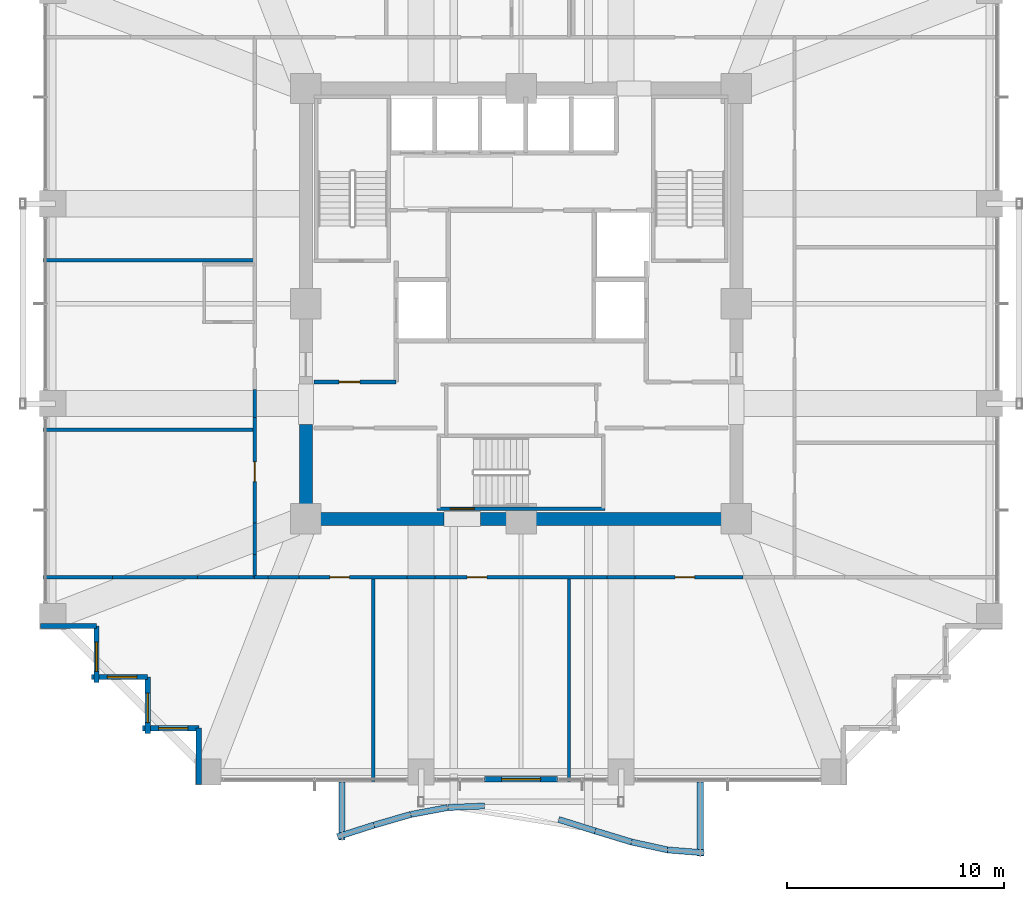
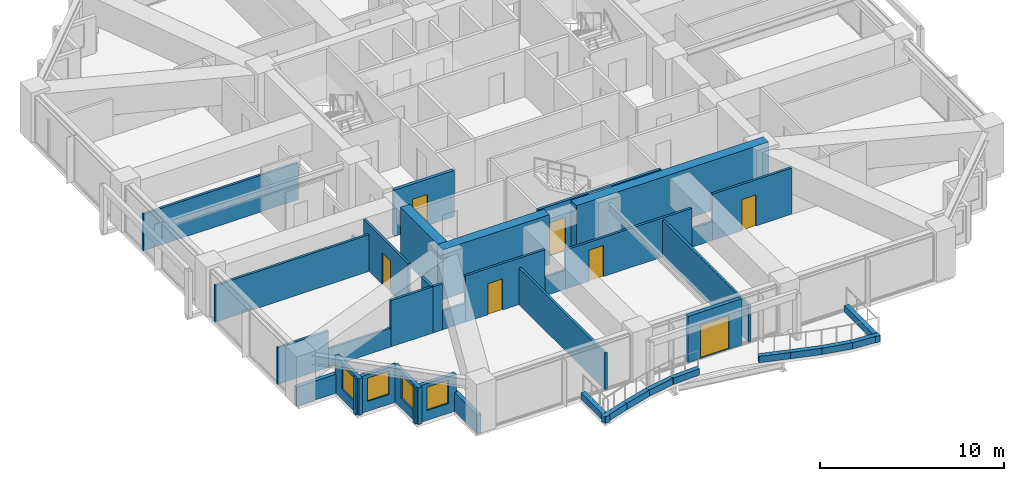
# One storey, part 31 of 37: 40 walls, 7 doors, 4 windows, 11 openings.
"""IFC4 building model written with IfcOpenShell, lengths in metres."""

from ifc_helpers import new_model, si_unit, direction, frame, frame_2d, origin, place, context, subcontext, project, spatial, rectangle, extrude, material, layer, layer_set, type_object, element, fill, save


model = new_model("IFC4")

# Units and contexts
model_context = context("Model", 3, precision=1e-05, world=origin(), true_north=direction((0.0, 1.0)))
body_context = subcontext(model_context, "Body", "Model", "MODEL_VIEW")
ifc_project = project(units=[si_unit("LENGTHUNIT", "METRE"), si_unit("AREAUNIT", "SQUARE_METRE"), si_unit("VOLUMEUNIT", "CUBIC_METRE"), si_unit("PLANEANGLEUNIT", "RADIAN"), si_unit("MASSUNIT", "GRAM", prefix="KILO")], contexts=[model_context])

# Site, building, storey
site_placement = place(None, origin())
site = spatial("IfcSite", under=ifc_project, at=site_placement, CompositionType="ELEMENT")
building_placement = place(site_placement, origin())
building = spatial("IfcBuilding", under=site, at=building_placement, Name="Kolvaren Belvedere", CompositionType="ELEMENT")
storey_placement = place(building_placement, frame((0.0, 0.0, 56.800048828125)))
storey = spatial("IfcBuildingStorey", under=building, at=storey_placement, Name="L16", CompositionType="ELEMENT", Elevation=56.800048828125)

# Walls
ifc_material_1 = material(Name="Concrete C60/75", Category="concrete")
ifc_layer_1 = layer(ifc_material_1, 0.60009765625)
ifc_layer_set_1 = layer_set([ifc_layer_1], Name="Concrete C60/75")
wall_type_1 = type_object("IfcWallType", Name="CW-CORE-600", PredefinedType="SHEAR", material=ifc_layer_set_1)
wall_1_placement = place(storey_placement, frame((10.199951171875, -9.89990234375, 0.0), z_axis=(0.0, 0.0, 1.0), x_axis=(-1.0, 0.0, 0.0)))
element("IfcWall", 1, at=wall_1_placement, inside=storey, type_object=wall_type_1, Name="L16 South Core Shear Wall 1", PredefinedType="SHEAR", context=body_context, shape_type="SweptSolid", body=[
    extrude(rectangle(XDim=12.06005859375, YDim=0.60009765625, at=frame_2d((6.030029296875, 0.0))), origin(), (0.0, 0.0, 1.0), 3.300048828125),
])
wall_2_placement = place(storey_placement, frame((-3.5400390625, -9.89990234375, 0.0), z_axis=(0.0, 0.0, 1.0), x_axis=(-1.0, 0.0, 0.0)))
element("IfcWall", 2, at=wall_2_placement, inside=storey, type_object=wall_type_1, Name="L16 South Core Shear Wall 2", PredefinedType="SHEAR", context=body_context, shape_type="SweptSolid", body=[
    extrude(rectangle(XDim=6.659912109375, YDim=0.60009765625, at=frame_2d((3.330078125, 0.0))), origin(), (0.0, 0.0, 1.0), 3.300048828125),
])
wall_3_placement = place(storey_placement, frame((-9.89990234375, -9.60009765625, 0.0), z_axis=(0.0, 0.0, 1.0), x_axis=(0.0, 1.0, 0.0)))
element("IfcWall", 3, at=wall_3_placement, inside=storey, type_object=wall_type_1, Name="L16 West Core Shear Wall 1", PredefinedType="SHEAR", context=body_context, shape_type="SweptSolid", body=[
    extrude(rectangle(XDim=4.050048828125, YDim=0.60009765625, at=frame_2d((2.02490234375, 0.0))), origin(), (0.0, 0.0, 1.0), 3.300048828125),
])

# Wall, opening, door
ifc_material_2 = material(Name="Concrete C50/60", Category="concrete")
ifc_layer_2 = layer(ifc_material_2, 0.159912109375)
ifc_layer_set_2 = layer_set([ifc_layer_2], Name="Concrete C50/60")
wall_type_2 = type_object("IfcWallType", Name="CW-STAIR-160", PredefinedType="SHEAR", material=ifc_layer_set_2)
wall_4_placement = place(storey_placement, frame((3.860107421875, -9.429931640625, 0.0), z_axis=(0.0, 0.0, 1.0), x_axis=(-1.0, 0.0, 0.0)))
wall_4 = element("IfcWall", 4, at=wall_4_placement, inside=storey, type_object=wall_type_2, Name="L16 Stair ST-3 South Shear Wall", PredefinedType="SHEAR", context=body_context, shape_type="SweptSolid", body=[
    extrude(rectangle(XDim=7.72021484375, YDim=0.159912109375, at=frame_2d((3.860107421875, 0.0))), origin(), (0.0, 0.0, 1.0), 3.300048828125),
])
opening_1_placement = place(wall_4_placement, frame((6.010009765625, 0.0, 0.0)))
opening_1 = element("IfcOpeningElement", 5, at=opening_1_placement, cuts=wall_4, Name="Opening D-FD90", PredefinedType="OPENING", context=body_context, shape_type="SweptSolid", body=[
    extrude(rectangle(XDim=1.10009765625, YDim=2.199951171875, at=frame_2d((0.550048828125, 1.10009765625))), frame((0.0, 0.08984375, 0.0), z_axis=(0.0, -1.0, 0.0), x_axis=(1.0, 0.0, 0.0)), (0.0, 0.0, 1.0), 0.179931640625),
])
ifc_material_3 = material(Name="Painted hollow stainless steel", Category="steel")
door_type_1 = type_object("IfcDoorType", Name="DR-FD90-1100", OperationType="NOTDEFINED", PredefinedType="DOOR", material=ifc_material_3)
door_1_placement = place(opening_1_placement, origin())
door_1 = element("IfcDoor", 6, at=door_1_placement, inside=storey, type_object=door_type_1, Name="L16 Stair ST-3 Exit Door", OperationType="SINGLE_SWING_RIGHT", OverallHeight=2.199951171875, OverallWidth=1.10009765625, PredefinedType="DOOR", context=body_context, shape_type="SweptSolid", body=[
    extrude(rectangle(XDim=1.10009765625, YDim=2.199951171875, at=frame_2d((0.550048828125, 1.10009765625))), frame((0.0, 0.02490234375, 0.0), z_axis=(0.0, -1.0, 0.0), x_axis=(1.0, 0.0, 0.0)), (0.0, 0.0, 1.0), 0.050048828125),
])
fill(opening_1, door_1)

# Walls
ifc_material_4 = material(Name="Gypsum fire-rated partition assembly", Category="gypsum")
ifc_layer_3 = layer(ifc_material_4, 0.14990234375)
ifc_layer_set_3 = layer_set([ifc_layer_3], Name="Gypsum fire-rated partition assembly")
wall_type_3 = type_object("IfcWallType", Name="WL-CORR-150", PredefinedType="PARTITIONING", material=ifc_layer_set_3)
wall_5_placement = place(storey_placement, frame((-12.260009765625, -12.580078125, 0.0), z_axis=(0.0, 0.0, 1.0), x_axis=(1.0, 0.0, 0.0)))
element("IfcWall", 7, at=wall_5_placement, inside=storey, type_object=wall_type_3, Name="L16 South Corridor Wall", PredefinedType="PARTITIONING", context=body_context, shape_type="SweptSolid", body=[
    extrude(rectangle(XDim=0.605224609375, YDim=0.14990234375, at=frame_2d((0.302734375, 0.0))), origin(), (0.0, 0.0, 1.0), 3.06005859375),
])
wall_6_placement = place(storey_placement, frame((-11.65478515625, -12.580078125, 0.0), z_axis=(0.0, 0.0, 1.0), x_axis=(1.0, 0.0, 0.0)))
element("IfcWall", 8, at=wall_6_placement, inside=storey, type_object=wall_type_3, Name="L16 South Corridor Wall", PredefinedType="PARTITIONING", context=body_context, shape_type="SweptSolid", body=[
    extrude(rectangle(XDim=1.439208984375, YDim=0.14990234375, at=frame_2d((0.7197265625, 0.0))), origin(), (0.0, 0.0, 1.0), 1.244873046875),
])

# Wall, opening, door
wall_7_placement = place(storey_placement, frame((-10.215576171875, -12.580078125, 0.0), z_axis=(0.0, 0.0, 1.0), x_axis=(1.0, 0.0, 0.0)))
wall_7 = element("IfcWall", 9, at=wall_7_placement, inside=storey, type_object=wall_type_3, Name="L16 South Corridor Wall", PredefinedType="PARTITIONING", context=body_context, shape_type="SweptSolid", body=[
    extrude(rectangle(XDim=4.9736328125, YDim=0.14990234375, at=frame_2d((2.48681640625, 0.0))), origin(), (0.0, 0.0, 1.0), 3.06005859375),
])
opening_2_placement = place(wall_7_placement, frame((1.41748046875, 0.0, 0.0)))
opening_2 = element("IfcOpeningElement", 10, at=opening_2_placement, cuts=wall_7, Name="Opening D-INT90", PredefinedType="OPENING", context=body_context, shape_type="SweptSolid", body=[
    extrude(rectangle(XDim=0.89990234375, YDim=2.06005859375, at=frame_2d((0.449951171875, 1.030029296875))), frame((0.0, 0.0849609375, 0.0), z_axis=(0.0, -1.0, 0.0), x_axis=(1.0, 0.0, 0.0)), (0.0, 0.0, 1.0), 0.169921875),
])
ifc_material_5 = material(Name="Stained Pacific white oak", Category="timber")
door_type_2 = type_object("IfcDoorType", Name="DR-INT-900", OperationType="NOTDEFINED", PredefinedType="DOOR", material=ifc_material_5)
door_2_placement = place(opening_2_placement, origin())
door_2 = element("IfcDoor", 11, at=door_2_placement, inside=storey, type_object=door_type_2, Name="L16 Lounge 1601 Door", OperationType="SINGLE_SWING_RIGHT", OverallHeight=2.06005859375, OverallWidth=0.89990234375, PredefinedType="DOOR", context=body_context, shape_type="SweptSolid", body=[
    extrude(rectangle(XDim=0.89990234375, YDim=2.06005859375, at=frame_2d((0.449951171875, 1.030029296875))), frame((0.0, 0.02490234375, 0.0), z_axis=(0.0, -1.0, 0.0), x_axis=(1.0, 0.0, 0.0)), (0.0, 0.0, 1.0), 0.050048828125),
])
fill(opening_2, door_2)

# Wall
wall_8_placement = place(storey_placement, frame((-5.241943359375, -12.580078125, 0.0), z_axis=(0.0, 0.0, 1.0), x_axis=(1.0, 0.0, 0.0)))
element("IfcWall", 12, at=wall_8_placement, inside=storey, type_object=wall_type_3, Name="L16 South Corridor Wall", PredefinedType="PARTITIONING", context=body_context, shape_type="SweptSolid", body=[
    extrude(rectangle(XDim=1.283935546875, YDim=0.14990234375, at=frame_2d((0.64208984375, 0.0))), origin(), (0.0, 0.0, 1.0), 1.244873046875),
])

# Wall, opening, door
wall_9_placement = place(storey_placement, frame((-3.9580078125, -12.580078125, 0.0), z_axis=(0.0, 0.0, 1.0), x_axis=(1.0, 0.0, 0.0)))
wall_9 = element("IfcWall", 13, at=wall_9_placement, inside=storey, type_object=wall_type_3, Name="L16 South Corridor Wall", PredefinedType="PARTITIONING", context=body_context, shape_type="SweptSolid", body=[
    extrude(rectangle(XDim=7.916015625, YDim=0.14990234375, at=frame_2d((3.9580078125, 0.0))), origin(), (0.0, 0.0, 1.0), 2.5849609375),
])
opening_3_placement = place(wall_9_placement, frame((1.47802734375, 0.0, 0.0)))
opening_3 = element("IfcOpeningElement", 14, at=opening_3_placement, cuts=wall_9, Name="Opening D-INT90", PredefinedType="OPENING", context=body_context, shape_type="SweptSolid", body=[
    extrude(rectangle(XDim=0.89990234375, YDim=2.06005859375, at=frame_2d((0.449951171875, 1.030029296875))), frame((0.0, 0.0849609375, 0.0), z_axis=(0.0, -1.0, 0.0), x_axis=(1.0, 0.0, 0.0)), (0.0, 0.0, 1.0), 0.169921875),
])
door_3_placement = place(opening_3_placement, origin())
door_3 = element("IfcDoor", 15, at=door_3_placement, inside=storey, type_object=door_type_2, Name="L16 Guest Tea & Espresso Kitchen 1602 Door", OperationType="SINGLE_SWING_LEFT", OverallHeight=2.06005859375, OverallWidth=0.89990234375, PredefinedType="DOOR", context=body_context, shape_type="SweptSolid", body=[
    extrude(rectangle(XDim=0.89990234375, YDim=2.06005859375, at=frame_2d((0.449951171875, 1.030029296875))), frame((0.0, 0.02490234375, 0.0), z_axis=(0.0, -1.0, 0.0), x_axis=(1.0, 0.0, 0.0)), (0.0, 0.0, 1.0), 0.050048828125),
])
fill(opening_3, door_3)

# Wall
wall_10_placement = place(storey_placement, frame((3.9580078125, -12.580078125, 0.0), z_axis=(0.0, 0.0, 1.0), x_axis=(1.0, 0.0, 0.0)))
element("IfcWall", 16, at=wall_10_placement, inside=storey, type_object=wall_type_3, Name="L16 South Corridor Wall", PredefinedType="PARTITIONING", context=body_context, shape_type="SweptSolid", body=[
    extrude(rectangle(XDim=1.283935546875, YDim=0.14990234375, at=frame_2d((0.64208984375, 0.0))), origin(), (0.0, 0.0, 1.0), 1.244873046875),
])

# Wall, opening, door
wall_11_placement = place(storey_placement, frame((5.241943359375, -12.580078125, 0.0), z_axis=(0.0, 0.0, 1.0), x_axis=(1.0, 0.0, 0.0)))
wall_11 = element("IfcWall", 17, at=wall_11_placement, inside=storey, type_object=wall_type_3, Name="L16 South Corridor Wall", PredefinedType="PARTITIONING", context=body_context, shape_type="SweptSolid", body=[
    extrude(rectangle(XDim=4.9736328125, YDim=0.14990234375, at=frame_2d((2.48681640625, 0.0))), origin(), (0.0, 0.0, 1.0), 3.06005859375),
])
opening_4_placement = place(wall_11_placement, frame((1.843017578125, 0.0, 0.0)))
opening_4 = element("IfcOpeningElement", 18, at=opening_4_placement, cuts=wall_11, Name="Opening D-INT90", PredefinedType="OPENING", context=body_context, shape_type="SweptSolid", body=[
    extrude(rectangle(XDim=0.89990234375, YDim=2.06005859375, at=frame_2d((0.449951171875, 1.030029296875))), frame((0.0, 0.0849609375, 0.0), z_axis=(0.0, -1.0, 0.0), x_axis=(1.0, 0.0, 0.0)), (0.0, 0.0, 1.0), 0.169921875),
])
door_4_placement = place(opening_4_placement, origin())
door_4 = element("IfcDoor", 19, at=door_4_placement, inside=storey, type_object=door_type_2, Name="L16 Lounge 1603 Door", OperationType="SINGLE_SWING_RIGHT", OverallHeight=2.06005859375, OverallWidth=0.89990234375, PredefinedType="DOOR", context=body_context, shape_type="SweptSolid", body=[
    extrude(rectangle(XDim=0.89990234375, YDim=2.06005859375, at=frame_2d((0.449951171875, 1.030029296875))), frame((0.0, 0.02490234375, 0.0), z_axis=(0.0, -1.0, 0.0), x_axis=(1.0, 0.0, 0.0)), (0.0, 0.0, 1.0), 0.050048828125),
])
fill(opening_4, door_4)

# Walls
wall_12_placement = place(storey_placement, frame((-12.260009765625, -12.580078125, 0.0), z_axis=(0.0, 0.0, 1.0), x_axis=(0.0, 1.0, 0.0)))
element("IfcWall", 20, at=wall_12_placement, inside=storey, type_object=wall_type_3, Name="L16 West Corridor Wall", PredefinedType="PARTITIONING", context=body_context, shape_type="SweptSolid", body=[
    extrude(rectangle(XDim=1.048828125, YDim=0.14990234375, at=frame_2d((0.5244140625, 0.0))), origin(), (0.0, 0.0, 1.0), 3.06005859375),
])
wall_13_placement = place(storey_placement, frame((-12.260009765625, -11.53125, 0.0), z_axis=(0.0, 0.0, 1.0), x_axis=(0.0, 1.0, 0.0)))
element("IfcWall", 21, at=wall_13_placement, inside=storey, type_object=wall_type_3, Name="L16 West Corridor Wall", PredefinedType="PARTITIONING", context=body_context, shape_type="SweptSolid", body=[
    extrude(rectangle(XDim=1.439453125, YDim=0.14990234375, at=frame_2d((0.7197265625, 0.0))), origin(), (0.0, 0.0, 1.0), 1.244873046875),
])

# Wall, opening, door
wall_14_placement = place(storey_placement, frame((-12.260009765625, -10.091796875, 0.0), z_axis=(0.0, 0.0, 1.0), x_axis=(0.0, 1.0, 0.0)))
wall_14 = element("IfcWall", 22, at=wall_14_placement, inside=storey, type_object=wall_type_3, Name="L16 West Corridor Wall", PredefinedType="PARTITIONING", context=body_context, shape_type="SweptSolid", body=[
    extrude(rectangle(XDim=4.849853515625, YDim=0.14990234375, at=frame_2d((2.4248046875, 0.0))), origin(), (0.0, 0.0, 1.0), 3.06005859375),
])
opening_5_placement = place(wall_14_placement, frame((1.909912109375, 0.0, 0.0)))
opening_5 = element("IfcOpeningElement", 23, at=opening_5_placement, cuts=wall_14, Name="Opening D-INT90", PredefinedType="OPENING", context=body_context, shape_type="SweptSolid", body=[
    extrude(rectangle(XDim=0.89990234375, YDim=2.06005859375, at=frame_2d((0.449951171875, 1.030029296875))), frame((0.0, 0.0849609375, 0.0), z_axis=(0.0, -1.0, 0.0), x_axis=(1.0, 0.0, 0.0)), (0.0, 0.0, 1.0), 0.169921875),
])
door_5_placement = place(opening_5_placement, origin())
door_5 = element("IfcDoor", 24, at=door_5_placement, inside=storey, type_object=door_type_2, Name="L16 Lounge 1607 Door", OperationType="SINGLE_SWING_RIGHT", OverallHeight=2.06005859375, OverallWidth=0.89990234375, PredefinedType="DOOR", context=body_context, shape_type="SweptSolid", body=[
    extrude(rectangle(XDim=0.89990234375, YDim=2.06005859375, at=frame_2d((0.449951171875, 1.030029296875))), frame((0.0, 0.02490234375, 0.0), z_axis=(0.0, -1.0, 0.0), x_axis=(1.0, 0.0, 0.0)), (0.0, 0.0, 1.0), 0.050048828125),
])
fill(opening_5, door_5)

# Wall
wall_15_placement = place(storey_placement, frame((-12.260009765625, -5.241943359375, 0.0), z_axis=(0.0, 0.0, 1.0), x_axis=(0.0, 1.0, 0.0)))
element("IfcWall", 25, at=wall_15_placement, inside=storey, type_object=wall_type_3, Name="L16 West Corridor Wall", PredefinedType="PARTITIONING", context=body_context, shape_type="SweptSolid", body=[
    extrude(rectangle(XDim=1.283935546875, YDim=0.14990234375, at=frame_2d((0.64208984375, 0.0))), origin(), (0.0, 0.0, 1.0), 1.244873046875),
])

# Wall, opening, door
ifc_material_6 = material(Name="Insulated pale-metal facade wall assembly", Category="aluminium")
ifc_layer_4 = layer(ifc_material_6, 0.239990234375)
ifc_layer_set_4 = layer_set([ifc_layer_4], Name="Insulated pale-metal facade wall assembly")
wall_type_4 = type_object("IfcWallType", Name="WL-EXT-240", PredefinedType="STANDARD", material=ifc_layer_set_4)
wall_16_placement = place(storey_placement, frame((1.679931640625, -21.8798828125, 0.0), z_axis=(0.0, 0.0, 1.0), x_axis=(-1.0, 0.0, 0.0)))
wall_16 = element("IfcWall", 26, at=wall_16_placement, inside=storey, type_object=wall_type_4, Name="L16 South Terrace Portal Wall", PredefinedType="STANDARD", context=body_context, shape_type="SweptSolid", body=[
    extrude(rectangle(XDim=3.35986328125, YDim=0.239990234375, at=frame_2d((1.679931640625, 0.0))), origin(), (0.0, 0.0, 1.0), 3.06005859375),
])
opening_6_placement = place(wall_16_placement, frame((0.780029296875, 0.0, 0.0)))
opening_6 = element("IfcOpeningElement", 27, at=opening_6_placement, cuts=wall_16, Name="Opening DB-1800", PredefinedType="OPENING", context=body_context, shape_type="SweptSolid", body=[
    extrude(rectangle(XDim=1.800048828125, YDim=2.199951171875, at=frame_2d((0.89990234375, 1.10009765625))), frame((0.0, 0.1298828125, 0.0), z_axis=(0.0, -1.0, 0.0), x_axis=(1.0, 0.0, 0.0)), (0.0, 0.0, 1.0), 0.260009765625),
])
ifc_material_7 = material(Name="Thermally broken pale-metal aluminium & low-iron glass", Category="aluminium")
door_type_3 = type_object("IfcDoorType", Name="DR-BAL-1800", OperationType="DOUBLE_DOOR_SLIDING", PredefinedType="DOOR", material=ifc_material_7)
door_6_placement = place(opening_6_placement, origin())
door_6 = element("IfcDoor", 28, at=door_6_placement, inside=storey, type_object=door_type_3, Name="L16 South Planted Terrace Sliding Door", OperationType="DOUBLE_DOOR_SLIDING", OverallHeight=2.199951171875, OverallWidth=1.800048828125, PredefinedType="DOOR", context=body_context, shape_type="SweptSolid", body=[
    extrude(rectangle(XDim=1.800048828125, YDim=2.199951171875, at=frame_2d((0.89990234375, 1.10009765625))), frame((0.0, 0.02490234375, 0.0), z_axis=(0.0, -1.0, 0.0), x_axis=(1.0, 0.0, 0.0)), (0.0, 0.0, 1.0), 0.050048828125),
])
fill(opening_6, door_6)

# Wall
wall_17_placement = place(storey_placement, frame((-19.530029296875, -14.830078125, 0.0), z_axis=(0.0, 0.0, 1.0), x_axis=(-1.0, 0.0, 0.0)))
element("IfcWall", 29, at=wall_17_placement, inside=storey, type_object=wall_type_4, Name="L16 Serrated Corner Facade Wall 23", PredefinedType="STANDARD", context=body_context, shape_type="SweptSolid", body=[
    extrude(rectangle(XDim=2.590087890625, YDim=0.239990234375, at=frame_2d((1.294921875, 0.0))), origin(), (0.0, 0.0, 1.0), 1.2548828125),
])

# Wall, opening, window
wall_18_placement = place(storey_placement, frame((-19.530029296875, -17.419921875, 0.0), z_axis=(0.0, 0.0, 1.0), x_axis=(0.0, 1.0, 0.0)))
wall_18 = element("IfcWall", 30, at=wall_18_placement, inside=storey, type_object=wall_type_4, Name="L16 Serrated Corner Facade Wall 24", PredefinedType="STANDARD", context=body_context, shape_type="SweptSolid", body=[
    extrude(rectangle(XDim=2.58984375, YDim=0.239990234375, at=frame_2d((1.294921875, 0.0))), origin(), (0.0, 0.0, 1.0), 2.43896484375),
])
opening_7_placement = place(wall_18_placement, frame((0.5, 0.0, 0.64990234375)))
opening_7 = element("IfcOpeningElement", 31, at=opening_7_placement, cuts=wall_18, Name="Opening W-1350", PredefinedType="OPENING", context=body_context, shape_type="SweptSolid", body=[
    extrude(rectangle(XDim=1.35009765625, YDim=1.550048828125, at=frame_2d((0.675048828125, 0.77490234375))), frame((0.0, 0.1298828125, 0.0), z_axis=(0.0, -1.0, 0.0), x_axis=(1.0, 0.0, 0.0)), (0.0, 0.0, 1.0), 0.260009765625),
])
ifc_material_8 = material(Name="Low-iron triple insulated glass", Category="glass")
window_type = type_object("IfcWindowType", Name="WN-CORN-1350", PartitioningType="SINGLE_PANEL", PredefinedType="WINDOW", material=ifc_material_8)
window_1_placement = place(opening_7_placement, origin())
window_1 = element("IfcWindow", 32, at=window_1_placement, inside=storey, type_object=window_type, Name="L16 Serrated Corner Vision Window 24", OverallHeight=1.550048828125, OverallWidth=1.35009765625, PartitioningType="SINGLE_PANEL", PredefinedType="WINDOW", context=body_context, shape_type="SweptSolid", body=[
    extrude(rectangle(XDim=1.35009765625, YDim=1.550048828125, at=frame_2d((0.675048828125, 0.77490234375))), frame((0.0, 0.030029296875, 0.0), z_axis=(0.0, -1.0, 0.0), x_axis=(1.0, 0.0, 0.0)), (0.0, 0.0, 1.0), 0.06005859375),
])
fill(opening_7, window_1)

wall_19_placement = place(storey_placement, frame((-17.179931640625, -17.179931640625, 0.0), z_axis=(0.0, 0.0, 1.0), x_axis=(-1.0, 0.0, 0.0)))
wall_19 = element("IfcWall", 33, at=wall_19_placement, inside=storey, type_object=wall_type_4, Name="L16 Serrated Corner Facade Wall 25", PredefinedType="STANDARD", context=body_context, shape_type="SweptSolid", body=[
    extrude(rectangle(XDim=2.590087890625, YDim=0.239990234375, at=frame_2d((1.294921875, 0.0))), origin(), (0.0, 0.0, 1.0), 2.43896484375),
])
opening_8_placement = place(wall_19_placement, frame((0.5, 0.0, 0.64990234375)))
opening_8 = element("IfcOpeningElement", 34, at=opening_8_placement, cuts=wall_19, Name="Opening W-1350", PredefinedType="OPENING", context=body_context, shape_type="SweptSolid", body=[
    extrude(rectangle(XDim=1.35009765625, YDim=1.550048828125, at=frame_2d((0.675048828125, 0.77490234375))), frame((0.0, 0.1298828125, 0.0), z_axis=(0.0, -1.0, 0.0), x_axis=(1.0, 0.0, 0.0)), (0.0, 0.0, 1.0), 0.260009765625),
])
window_2_placement = place(opening_8_placement, origin())
window_2 = element("IfcWindow", 35, at=window_2_placement, inside=storey, type_object=window_type, Name="L16 Serrated Corner Vision Window 25", OverallHeight=1.550048828125, OverallWidth=1.35009765625, PartitioningType="SINGLE_PANEL", PredefinedType="WINDOW", context=body_context, shape_type="SweptSolid", body=[
    extrude(rectangle(XDim=1.35009765625, YDim=1.550048828125, at=frame_2d((0.675048828125, 0.77490234375))), frame((0.0, 0.030029296875, 0.0), z_axis=(0.0, -1.0, 0.0), x_axis=(1.0, 0.0, 0.0)), (0.0, 0.0, 1.0), 0.06005859375),
])
fill(opening_8, window_2)

wall_20_placement = place(storey_placement, frame((-17.179931640625, -19.77001953125, 0.0), z_axis=(0.0, 0.0, 1.0), x_axis=(0.0, 1.0, 0.0)))
wall_20 = element("IfcWall", 36, at=wall_20_placement, inside=storey, type_object=wall_type_4, Name="L16 Serrated Corner Facade Wall 26", PredefinedType="STANDARD", context=body_context, shape_type="SweptSolid", body=[
    extrude(rectangle(XDim=2.590087890625, YDim=0.239990234375, at=frame_2d((1.294921875, 0.0))), origin(), (0.0, 0.0, 1.0), 2.43896484375),
])
opening_9_placement = place(wall_20_placement, frame((0.5, 0.0, 0.64990234375)))
opening_9 = element("IfcOpeningElement", 37, at=opening_9_placement, cuts=wall_20, Name="Opening W-1350", PredefinedType="OPENING", context=body_context, shape_type="SweptSolid", body=[
    extrude(rectangle(XDim=1.35009765625, YDim=1.550048828125, at=frame_2d((0.675048828125, 0.77490234375))), frame((0.0, 0.1298828125, 0.0), z_axis=(0.0, -1.0, 0.0), x_axis=(1.0, 0.0, 0.0)), (0.0, 0.0, 1.0), 0.260009765625),
])
window_3_placement = place(opening_9_placement, origin())
window_3 = element("IfcWindow", 38, at=window_3_placement, inside=storey, type_object=window_type, Name="L16 Serrated Corner Vision Window 26", OverallHeight=1.550048828125, OverallWidth=1.35009765625, PartitioningType="SINGLE_PANEL", PredefinedType="WINDOW", context=body_context, shape_type="SweptSolid", body=[
    extrude(rectangle(XDim=1.35009765625, YDim=1.550048828125, at=frame_2d((0.675048828125, 0.77490234375))), frame((0.0, 0.030029296875, 0.0), z_axis=(0.0, -1.0, 0.0), x_axis=(1.0, 0.0, 0.0)), (0.0, 0.0, 1.0), 0.06005859375),
])
fill(opening_9, window_3)

wall_21_placement = place(storey_placement, frame((-14.830078125, -19.530029296875, 0.0), z_axis=(0.0, 0.0, 1.0), x_axis=(-1.0, 0.0, 0.0)))
wall_21 = element("IfcWall", 39, at=wall_21_placement, inside=storey, type_object=wall_type_4, Name="L16 Serrated Corner Facade Wall 27", PredefinedType="STANDARD", context=body_context, shape_type="SweptSolid", body=[
    extrude(rectangle(XDim=2.58984375, YDim=0.239990234375, at=frame_2d((1.294921875, 0.0))), origin(), (0.0, 0.0, 1.0), 2.43896484375),
])
opening_10_placement = place(wall_21_placement, frame((0.5, 0.0, 0.64990234375)))
opening_10 = element("IfcOpeningElement", 40, at=opening_10_placement, cuts=wall_21, Name="Opening W-1350", PredefinedType="OPENING", context=body_context, shape_type="SweptSolid", body=[
    extrude(rectangle(XDim=1.35009765625, YDim=1.550048828125, at=frame_2d((0.675048828125, 0.77490234375))), frame((0.0, 0.1298828125, 0.0), z_axis=(0.0, -1.0, 0.0), x_axis=(1.0, 0.0, 0.0)), (0.0, 0.0, 1.0), 0.260009765625),
])
window_4_placement = place(opening_10_placement, origin())
window_4 = element("IfcWindow", 41, at=window_4_placement, inside=storey, type_object=window_type, Name="L16 Serrated Corner Vision Window 27", OverallHeight=1.550048828125, OverallWidth=1.35009765625, PartitioningType="SINGLE_PANEL", PredefinedType="WINDOW", context=body_context, shape_type="SweptSolid", body=[
    extrude(rectangle(XDim=1.35009765625, YDim=1.550048828125, at=frame_2d((0.675048828125, 0.77490234375))), frame((0.0, 0.030029296875, 0.0), z_axis=(0.0, -1.0, 0.0), x_axis=(1.0, 0.0, 0.0)), (0.0, 0.0, 1.0), 0.06005859375),
])
fill(opening_10, window_4)

# Walls
wall_22_placement = place(storey_placement, frame((-14.830078125, -22.1201171875, 0.0), z_axis=(0.0, 0.0, 1.0), x_axis=(0.0, 1.0, 0.0)))
element("IfcWall", 42, at=wall_22_placement, inside=storey, type_object=wall_type_4, Name="L16 Serrated Corner Facade Wall 28", PredefinedType="STANDARD", context=body_context, shape_type="SweptSolid", body=[
    extrude(rectangle(XDim=2.590087890625, YDim=0.239990234375, at=frame_2d((1.294921875, 0.0))), origin(), (0.0, 0.0, 1.0), 1.2548828125),
])
ifc_material_9 = material(Name="Gypsum acoustic partition assembly", Category="gypsum")
ifc_layer_5 = layer(ifc_material_9, 0.14990234375)
ifc_layer_set_5 = layer_set([ifc_layer_5], Name="Gypsum acoustic partition assembly")
wall_type_5 = type_object("IfcWallType", Name="WL-PART-150", PredefinedType="PARTITIONING", material=ifc_layer_set_5)
wall_23_placement = place(storey_placement, frame((-21.97998046875, -12.580078125, 0.0), z_axis=(0.0, 0.0, 1.0), x_axis=(1.0, 0.0, 0.0)))
element("IfcWall", 43, at=wall_23_placement, inside=storey, type_object=wall_type_5, Name="L16 Wing Divider PW-L16-QSW", PredefinedType="PARTITIONING", context=body_context, shape_type="SweptSolid", body=[
    extrude(rectangle(XDim=3.18798828125, YDim=0.14990234375, at=frame_2d((1.593994140625, 0.0))), origin(), (0.0, 0.0, 1.0), 2.428955078125),
])
wall_24_placement = place(storey_placement, frame((-18.7919921875, -12.580078125, 0.0), z_axis=(0.0, 0.0, 1.0), x_axis=(1.0, 0.0, 0.0)))
element("IfcWall", 44, at=wall_24_placement, inside=storey, type_object=wall_type_5, Name="L16 Wing Divider PW-L16-QSW", PredefinedType="PARTITIONING", context=body_context, shape_type="SweptSolid", body=[
    extrude(rectangle(XDim=3.907470703125, YDim=0.14990234375, at=frame_2d((1.95361328125, 0.0))), origin(), (0.0, 0.0, 1.0), 1.244873046875),
])
wall_25_placement = place(storey_placement, frame((-14.884521484375, -12.580078125, 0.0), z_axis=(0.0, 0.0, 1.0), x_axis=(1.0, 0.0, 0.0)))
element("IfcWall", 45, at=wall_25_placement, inside=storey, type_object=wall_type_5, Name="L16 Wing Divider PW-L16-QSW", PredefinedType="PARTITIONING", context=body_context, shape_type="SweptSolid", body=[
    extrude(rectangle(XDim=2.62451171875, YDim=0.14990234375, at=frame_2d((1.312255859375, 0.0))), origin(), (0.0, 0.0, 1.0), 3.06005859375),
])
for number, where, z_axis, x_axis, name in (
    (46, (-6.800048828125, -21.97998046875, 0.0), (0.0, 0.0, 1.0), (0.0, 1.0, 0.0), "L16 South Suite Demising Wall 1"),
    (47, (2.199951171875, -21.97998046875, 0.0), (0.0, 0.0, 1.0), (0.0, 1.0, 0.0), "L16 South Suite Demising Wall 2"),
):
    element("IfcWall", number, at=place(storey_placement, frame(where, z_axis=z_axis, x_axis=x_axis)), inside=storey, type_object=wall_type_5, Name=name, PredefinedType="PARTITIONING", context=body_context, shape_type="SweptSolid", body=[
        extrude(rectangle(XDim=9.39990234375, YDim=0.14990234375, at=frame_2d((4.699951171875, 0.0))), origin(), (0.0, 0.0, 1.0), 2.428955078125),
    ])
for number, where, z_axis, x_axis, name in (
    (48, (-21.97998046875, -5.800048828125, 0.0), (0.0, 0.0, 1.0), (1.0, 0.0, 0.0), "L16 West Suite Demising Wall 1"),
    (49, (-21.97998046875, 2.0, 0.0), (0.0, 0.0, 1.0), (1.0, 0.0, 0.0), "L16 West Suite Demising Wall 2"),
):
    element("IfcWall", number, at=place(storey_placement, frame(where, z_axis=z_axis, x_axis=x_axis)), inside=storey, type_object=wall_type_5, Name=name, PredefinedType="PARTITIONING", context=body_context, shape_type="SweptSolid", body=[
        extrude(rectangle(XDim=9.719970703125, YDim=0.14990234375, at=frame_2d((4.85986328125, 0.0))), origin(), (0.0, 0.0, 1.0), 2.428955078125),
    ])
ifc_material_10 = material(Name="Precast concrete C40/50", Category="concrete")
ifc_layer_6 = layer(ifc_material_10, 0.300048828125)
ifc_layer_set_6 = layer_set([ifc_layer_6], Name="Precast concrete C40/50")
wall_type_6 = type_object("IfcWallType", Name="WL-PLANTER-300", PredefinedType="PARAPET", material=ifc_layer_set_6)
wall_26_placement = place(storey_placement, frame((-8.448486328125, -24.521240234375, -0.06005859375), z_axis=(0.0, 0.0, 1.0), x_axis=(0.952661770826, 0.304032153573, 0.0)))
element("IfcWall", 50, at=wall_26_placement, inside=storey, type_object=wall_type_6, Name="L16 Precast Structural Planter Wall BAL-S-1", PredefinedType="PARAPET", context=body_context, shape_type="SweptSolid", body=[
    extrude(rectangle(XDim=1.763427734375, YDim=0.280029296875, at=frame_2d((0.8818359375, 0.0))), origin(), (0.0, 0.0, 1.0), 0.419921875),
])
wall_27_placement = place(storey_placement, frame((-6.764404296875, -23.98388671875, -0.06005859375), z_axis=(0.0, 0.0, 1.0), x_axis=(0.96059663827, 0.277946215201, 0.0)))
element("IfcWall", 51, at=wall_27_placement, inside=storey, type_object=wall_type_6, Name="L16 Precast Structural Planter Wall BAL-S-2", PredefinedType="PARAPET", context=body_context, shape_type="SweptSolid", body=[
    extrude(rectangle(XDim=1.748779296875, YDim=0.280029296875, at=frame_2d((0.87451171875, 0.0))), origin(), (0.0, 0.0, 1.0), 0.419921875),
])
wall_28_placement = place(storey_placement, frame((-5.069580078125, -23.494384765625, -0.06005859375), z_axis=(0.0, 0.0, 1.0), x_axis=(0.982799348901, 0.18467658162, 0.0)))
element("IfcWall", 52, at=wall_28_placement, inside=storey, type_object=wall_type_6, Name="L16 Precast Structural Planter Wall BAL-S-3", PredefinedType="PARAPET", context=body_context, shape_type="SweptSolid", body=[
    extrude(rectangle(XDim=1.709228515625, YDim=0.280029296875, at=frame_2d((0.8544921875, 0.0))), origin(), (0.0, 0.0, 1.0), 0.419921875),
])
wall_29_placement = place(storey_placement, frame((-3.366455078125, -23.17578125, -0.06005859375), z_axis=(0.0, 0.0, 1.0), x_axis=(0.999202581436, 0.039927449854, 0.0)))
element("IfcWall", 53, at=wall_29_placement, inside=storey, type_object=wall_type_6, Name="L16 Precast Structural Planter Wall BAL-S-4", PredefinedType="PARAPET", context=body_context, shape_type="SweptSolid", body=[
    extrude(rectangle(XDim=1.681396484375, YDim=0.280029296875, at=frame_2d((0.8408203125, 0.0))), origin(), (0.0, 0.0, 1.0), 0.419921875),
])
wall_30_placement = place(storey_placement, frame((1.727783203125, -23.7275390625, -0.06005859375), z_axis=(0.0, 0.0, 1.0), x_axis=(0.954069594374, -0.299585061529, 0.0)))
element("IfcWall", 54, at=wall_30_placement, inside=storey, type_object=wall_type_6, Name="L16 Precast Structural Planter Wall BAL-S-7", PredefinedType="PARAPET", context=body_context, shape_type="SweptSolid", body=[
    extrude(rectangle(XDim=1.760986328125, YDim=0.280029296875, at=frame_2d((0.88037109375, 0.0))), origin(), (0.0, 0.0, 1.0), 0.419921875),
])
wall_31_placement = place(storey_placement, frame((3.406494140625, -24.254638671875, -0.06005859375), z_axis=(0.0, 0.0, 1.0), x_axis=(0.956732787823, -0.290967992577, 0.0)))
element("IfcWall", 55, at=wall_31_placement, inside=storey, type_object=wall_type_6, Name="L16 Precast Structural Planter Wall BAL-S-8", PredefinedType="PARAPET", context=body_context, shape_type="SweptSolid", body=[
    extrude(rectangle(XDim=1.756103515625, YDim=0.280029296875, at=frame_2d((0.8779296875, 0.0))), origin(), (0.0, 0.0, 1.0), 0.419921875),
])
wall_32_placement = place(storey_placement, frame((5.07421875, -24.762451171875, -0.06005859375), z_axis=(0.0, 0.0, 1.0), x_axis=(0.976876857632, -0.213802724545, 0.0)))
element("IfcWall", 56, at=wall_32_placement, inside=storey, type_object=wall_type_6, Name="L16 Precast Structural Planter Wall BAL-S-9", PredefinedType="PARAPET", context=body_context, shape_type="SweptSolid", body=[
    extrude(rectangle(XDim=1.7197265625, YDim=0.280029296875, at=frame_2d((0.85986328125, 0.0))), origin(), (0.0, 0.0, 1.0), 0.419921875),
])
wall_33_placement = place(storey_placement, frame((6.732666015625, -25.126953125, -0.06005859375), z_axis=(0.0, 0.0, 1.0), x_axis=(0.99685522818, -0.079244268248, 0.0)))
element("IfcWall", 57, at=wall_33_placement, inside=storey, type_object=wall_type_6, Name="L16 Precast Structural Planter Wall BAL-S-10", PredefinedType="PARAPET", context=body_context, shape_type="SweptSolid", body=[
    extrude(rectangle(XDim=1.685302734375, YDim=0.280029296875, at=frame_2d((0.8427734375, 0.0))), origin(), (0.0, 0.0, 1.0), 0.419921875),
])
wall_34_placement = place(storey_placement, frame((8.239990234375, -25.419921875, -0.06005859375), z_axis=(0.0, 0.0, 1.0), x_axis=(0.0, 1.0, 0.0)))
element("IfcWall", 58, at=wall_34_placement, inside=storey, type_object=wall_type_6, Name="L16 Precast Structural Planter Wall BAL-S-11", PredefinedType="PARAPET", context=body_context, shape_type="SweptSolid", body=[
    extrude(rectangle(XDim=3.419921875, YDim=0.280029296875, at=frame_2d((1.7099609375, 0.0))), origin(), (0.0, 0.0, 1.0), 0.419921875),
])
wall_35_placement = place(storey_placement, frame((-8.239990234375, -22.0, -0.06005859375), z_axis=(0.0, 0.0, 1.0), x_axis=(0.0, -1.0, 0.0)))
element("IfcWall", 59, at=wall_35_placement, inside=storey, type_object=wall_type_6, Name="L16 Precast Structural Planter Wall BAL-S-22", PredefinedType="PARAPET", context=body_context, shape_type="SweptSolid", body=[
    extrude(rectangle(XDim=2.673583984375, YDim=0.280029296875, at=frame_2d((1.3369140625, 0.0))), origin(), (0.0, 0.0, 1.0), 0.419921875),
])

# Wall, opening, door
ifc_material_11 = material(Name="Concrete C50/60", Category="concrete")
ifc_layer_7 = layer(ifc_material_11, 0.199951171875)
ifc_layer_set_7 = layer_set([ifc_layer_7], Name="Concrete C50/60")
wall_type_7 = type_object("IfcWallType", Name="WL-SHAFT-200", PredefinedType="SOLIDWALL", material=ifc_layer_set_7)
wall_36_placement = place(storey_placement, frame((-9.52001953125, -3.60009765625, 0.0), z_axis=(0.0, 0.0, 1.0), x_axis=(1.0, 0.0, 0.0)))
wall_36 = element("IfcWall", 60, at=wall_36_placement, inside=storey, type_object=wall_type_7, Name="L16 West FSAE Lobby South Wall", PredefinedType="SOLIDWALL", context=body_context, shape_type="SweptSolid", body=[
    extrude(rectangle(XDim=3.77001953125, YDim=0.199951171875, at=frame_2d((1.885009765625, 0.0))), origin(), (0.0, 0.0, 1.0), 3.06005859375),
])
opening_11_placement = place(wall_36_placement, frame((1.14990234375, 0.0, 0.0)))
opening_11 = element("IfcOpeningElement", 61, at=opening_11_placement, cuts=wall_36, Name="Opening D-FD60", PredefinedType="OPENING", context=body_context, shape_type="SweptSolid", body=[
    extrude(rectangle(XDim=0.949951171875, YDim=2.06005859375, at=frame_2d((0.47509765625, 1.030029296875))), frame((0.0, 0.10986328125, 0.0), z_axis=(0.0, -1.0, 0.0), x_axis=(1.0, 0.0, 0.0)), (0.0, 0.0, 1.0), 0.219970703125),
])
ifc_material_12 = material(Name="Acoustic white-oak fire door leaf", Category="timber")
door_type_4 = type_object("IfcDoorType", Name="DR-FD60-950", OperationType="NOTDEFINED", PredefinedType="DOOR", material=ifc_material_12)
door_7_placement = place(opening_11_placement, origin())
door_7 = element("IfcDoor", 62, at=door_7_placement, inside=storey, type_object=door_type_4, Name="L16 SW Lift Lobby Fire Door", OperationType="SINGLE_SWING_LEFT", OverallHeight=2.06005859375, OverallWidth=0.949951171875, PredefinedType="DOOR", context=body_context, shape_type="SweptSolid", body=[
    extrude(rectangle(XDim=0.949951171875, YDim=2.06005859375, at=frame_2d((0.47509765625, 1.030029296875))), frame((0.0, 0.02490234375, 0.0), z_axis=(0.0, -1.0, 0.0), x_axis=(1.0, 0.0, 0.0)), (0.0, 0.0, 1.0), 0.050048828125),
])
fill(opening_11, door_7)

save(model, "model.ifc")
